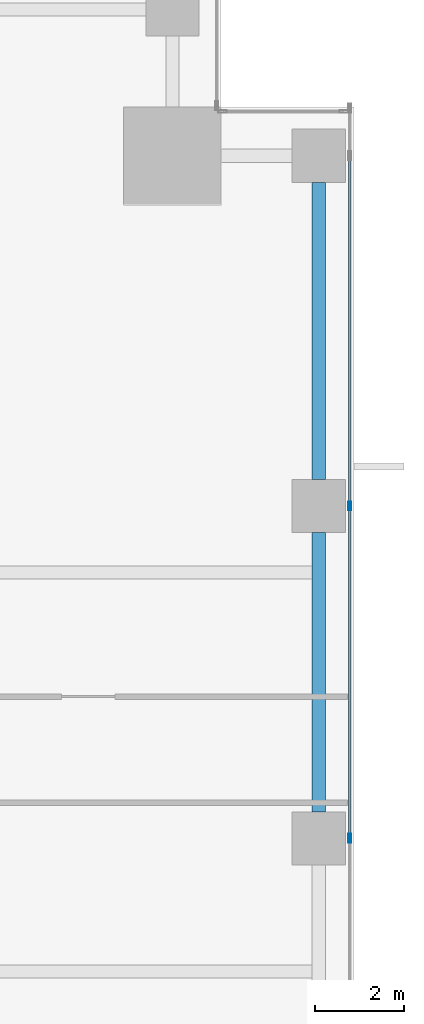
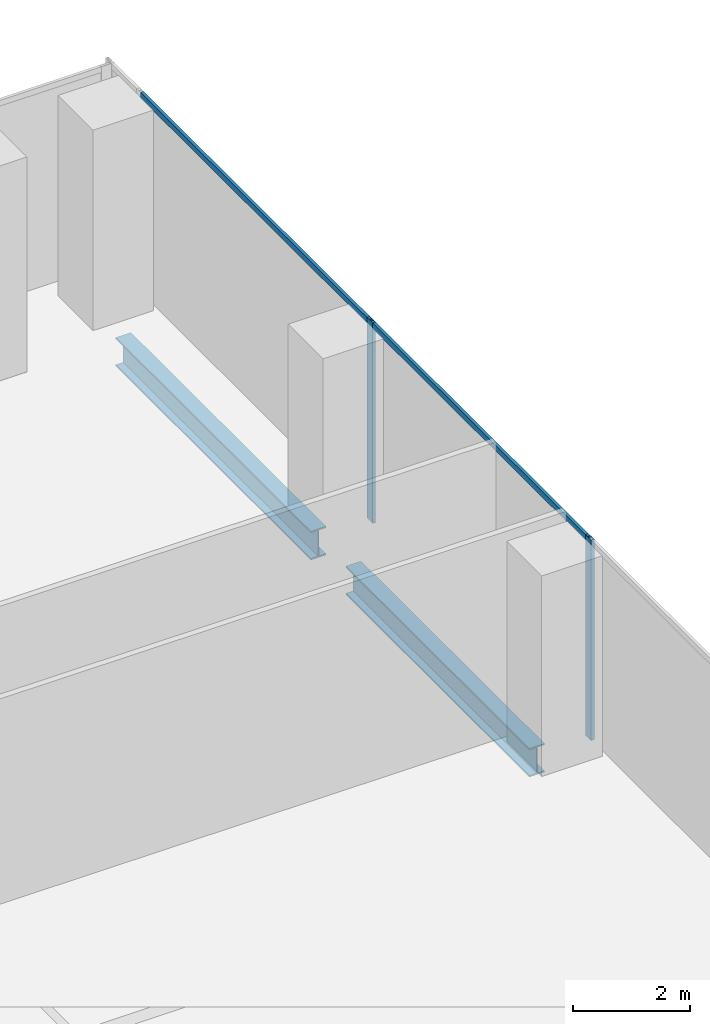
# One storey, part 17 of 32: 4 members, 2 beams, 1 element without a shape of its own.
"""IFC4 building model written with IfcOpenShell, lengths in metres."""

from ifc_helpers import new_model, si_unit, direction, frame, origin, origin_2d, place, context, subcontext, project, spatial, hollow_rectangle, i_section, extrude, source, transform, mapped, material, material_profile, profile_set, type_object, element, aggregate, save


model = new_model("IFC4")

# Units and contexts
model_context = context("Model", 3, precision=1e-05, world=origin(), true_north=direction((0.0, 1.0)))
body_context = subcontext(model_context, "Body", "Model", "MODEL_VIEW")
ifc_project = project(units=[si_unit("LENGTHUNIT", "METRE"), si_unit("AREAUNIT", "SQUARE_METRE"), si_unit("VOLUMEUNIT", "CUBIC_METRE"), si_unit("PLANEANGLEUNIT", "RADIAN"), si_unit("MASSUNIT", "GRAM", prefix="KILO")], contexts=[model_context])

# Site, building, storey
site_placement = place(None, origin())
site = spatial("IfcSite", under=ifc_project, at=site_placement, CompositionType="ELEMENT")
building_placement = place(site_placement, origin())
building = spatial("IfcBuilding", under=site, at=building_placement, Name="Khomas Fold Tower", CompositionType="ELEMENT")
storey_placement = place(building_placement, frame((0.0, 0.0, 37.5)))
storey = spatial("IfcBuildingStorey", under=building, at=storey_placement, Name="L07", CompositionType="ELEMENT", Elevation=37.5)

# Beams
ifc_material_1 = material(Name="Steel S355", Category="steel")
ifc_material_profile_1 = material_profile(ifc_material_1, i_section(OverallWidth=0.300048828125, OverallDepth=0.60009765625, WebThickness=0.015380859375, FlangeThickness=0.030029296875, at=origin_2d()), Name="HE 600 B")
ifc_profile_set_1 = profile_set([ifc_material_profile_1], Name="Steel S355")
beam_type = type_object("IfcBeamType", Name="HE 600 B spandrel SB1", PredefinedType="SPANDREL", material=ifc_profile_set_1)
shared_shape_1 = source(origin(), body_context, "Body", "SweptSolid", [
    extrude(i_section(OverallWidth=0.300048828125, OverallDepth=0.60009765625, WebThickness=0.015380859375, FlangeThickness=0.030029296875, at=origin_2d()), origin(), (0.0, 0.0, 1.0), 6.699951171875),
])
beam_1_placement = place(storey_placement, frame((53.199951171875, 42.60009765625, -0.60009765625), z_axis=(0.0, 1.0, 0.0), x_axis=(-1.0, 0.0, 0.0)))
element("IfcBeam", 1, at=beam_1_placement, inside=storey, type_object=beam_type, Name="SB1", PredefinedType="SPANDREL", context=body_context, shape_type="MappedRepresentation", body=[
    mapped(shared_shape_1, transform((0.0, 0.0, 0.0))),
])
shared_shape_2 = source(origin(), body_context, "Body", "SweptSolid", [
    extrude(i_section(OverallWidth=0.300048828125, OverallDepth=0.60009765625, WebThickness=0.015380859375, FlangeThickness=0.030029296875, at=origin_2d()), origin(), (0.0, 0.0, 1.0), 6.2998046875),
])
beam_2_placement = place(storey_placement, frame((53.199951171875, 35.10009765625, -0.60009765625), z_axis=(0.0, 1.0, 0.0), x_axis=(-1.0, 0.0, 0.0)))
element("IfcBeam", 2, at=beam_2_placement, inside=storey, type_object=beam_type, Name="SB1", PredefinedType="SPANDREL", context=body_context, shape_type="MappedRepresentation", body=[
    mapped(shared_shape_2, transform((0.0, 0.0, 0.0))),
])

# Curtain wall, members
ifc_material_2 = material(Name="Aluminium framed double glazing", Category="aluminium")
curtain_wall_type = type_object("IfcCurtainWallType", Name="SK-Unitised clear-glass wall, growing floors CW1", PredefinedType="NOTDEFINED", material=ifc_material_2)
curtain_wall_placement = place(storey_placement, origin())
curtain_wall = element("IfcCurtainWall", 3, at=curtain_wall_placement, inside=storey, type_object=curtain_wall_type, Name="CW1 run L07 03-1", PredefinedType="NOTDEFINED")
ifc_material_3 = material(Name="Aluminium", Category="aluminium")
ifc_material_profile_2 = material_profile(ifc_material_3, hollow_rectangle(XDim=0.06005859375, YDim=0.1201171875, WallThickness=0.00390625, at=origin_2d()), Name="SK-Unitised clear-glass wall, growing floors transom CW1-T")
ifc_profile_set_2 = profile_set([ifc_material_profile_2], Name="Aluminium")
member_type_1 = type_object("IfcMemberType", Name="SK-Unitised clear-glass wall, growing floors transom CW1-T", PredefinedType="USERDEFINED", material=ifc_profile_set_2)
shared_shape_3 = source(origin(), body_context, "Body", "SweptSolid", [
    extrude(hollow_rectangle(XDim=0.06005859375, YDim=0.1201171875, WallThickness=0.00390625, at=origin_2d()), origin(), (0.0, 0.0, 1.0), 7.840087890625),
])
member_1_placement = place(storey_placement, frame((53.89990234375, 42.030029296875, 4.139892578125), z_axis=(0.0, 1.0, 0.0), x_axis=(-1.0, 0.0, 0.0)))
member_1 = element("IfcMember", 4, at=member_1_placement, type_object=member_type_1, Name="CW1 transom 4", ObjectType="TRANSOM", PredefinedType="USERDEFINED", context=body_context, shape_type="MappedRepresentation", body=[
    mapped(shared_shape_3, transform((0.0, 0.0, 0.0))),
])
shared_shape_4 = source(origin(), body_context, "Body", "SweptSolid", [
    extrude(hollow_rectangle(XDim=0.06005859375, YDim=0.1201171875, WallThickness=0.00390625, at=origin_2d()), origin(), (0.0, 0.0, 1.0), 7.43994140625),
])
member_2_placement = place(storey_placement, frame((53.89990234375, 34.530029296875, 4.139892578125), z_axis=(0.0, 1.0, 0.0), x_axis=(-1.0, 0.0, 0.0)))
member_2 = element("IfcMember", 5, at=member_2_placement, type_object=member_type_1, Name="CW1 transom 3", ObjectType="TRANSOM", PredefinedType="USERDEFINED", context=body_context, shape_type="MappedRepresentation", body=[
    mapped(shared_shape_4, transform((0.0, 0.0, 0.0))),
])
ifc_material_4 = material(Name="Aluminium", Category="aluminium")
ifc_material_profile_3 = material_profile(ifc_material_4, hollow_rectangle(XDim=0.06005859375, YDim=0.199951171875, WallThickness=0.00390625, at=origin_2d()), Name="SK-Unitised clear-glass wall, growing floors mullion CW1-M")
ifc_profile_set_3 = profile_set([ifc_material_profile_3], Name="Aluminium")
member_type_2 = type_object("IfcMemberType", Name="SK-Unitised clear-glass wall, growing floors mullion CW1-M", PredefinedType="MULLION", material=ifc_profile_set_3)
shared_shape_5 = source(origin(), body_context, "Body", "SweptSolid", [
    extrude(hollow_rectangle(XDim=0.06005859375, YDim=0.199951171875, WallThickness=0.00390625, at=origin_2d()), origin(), (0.0, 0.0, 1.0), 4.199951171875),
])
member_3_placement = place(storey_placement, frame((53.89990234375, 34.5, 0.0), z_axis=(0.0, 0.0, 1.0), x_axis=(-1.0, 0.0, 0.0)))
member_3 = element("IfcMember", 6, at=member_3_placement, type_object=member_type_2, Name="CW1 mullion 3", PredefinedType="MULLION", context=body_context, shape_type="MappedRepresentation", body=[
    mapped(shared_shape_5, transform((0.0, 0.0, 0.0))),
])
member_4_placement = place(storey_placement, frame((53.89990234375, 42.0, 0.0), z_axis=(0.0, 0.0, 1.0), x_axis=(-1.0, 0.0, 0.0)))
member_4 = element("IfcMember", 7, at=member_4_placement, type_object=member_type_2, Name="CW1 mullion 4", PredefinedType="MULLION", context=body_context, shape_type="MappedRepresentation", body=[
    mapped(shared_shape_5, transform((0.0, 0.0, 0.0))),
])
aggregate(curtain_wall, [member_3, member_4, member_2, member_1])

save(model, "model.ifc")
